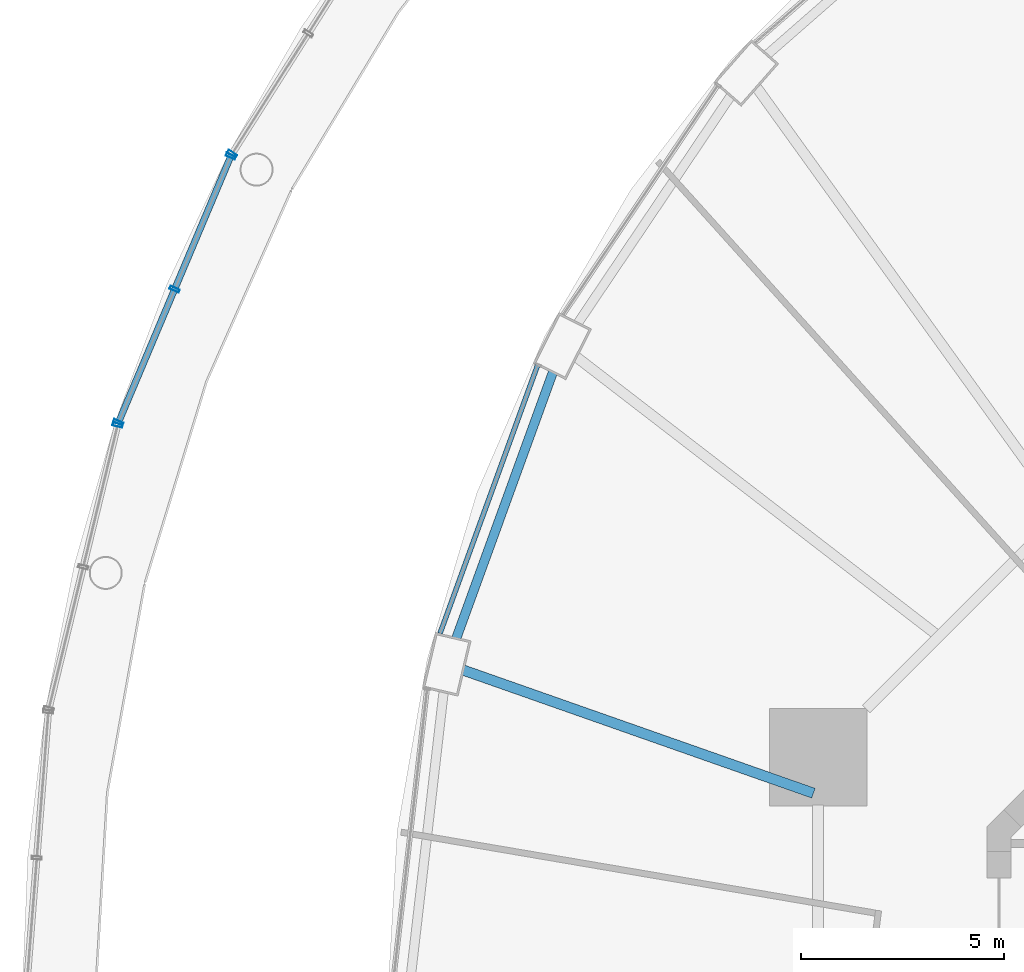
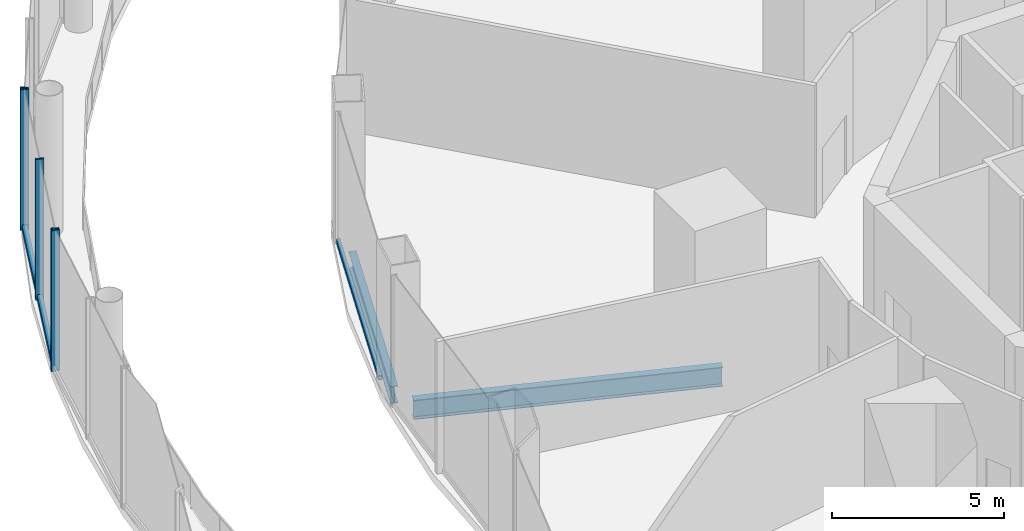
# One storey, part 20 of 47: 7 members, 2 beams, 4 elements without a shape of their own.
"""IFC4 building model written with IfcOpenShell, lengths in metres."""

from ifc_helpers import new_model, si_unit, direction, frame, origin, origin_2d, place, context, subcontext, project, spatial, hollow_rectangle, i_section, extrude, material, layer, layer_set, material_profile, profile_set, type_object, element, aggregate, save


model = new_model("IFC4")

# Units and contexts
model_context = context("Model", 3, precision=1e-05, world=origin(), true_north=direction((0.0, 1.0)))
body_context = subcontext(model_context, "Body", "Model", "MODEL_VIEW")
ifc_project = project(units=[si_unit("LENGTHUNIT", "METRE"), si_unit("AREAUNIT", "SQUARE_METRE"), si_unit("VOLUMEUNIT", "CUBIC_METRE"), si_unit("PLANEANGLEUNIT", "RADIAN"), si_unit("MASSUNIT", "GRAM", prefix="KILO")], contexts=[model_context])

# Site, building, storey
site_placement = place(None, origin())
site = spatial("IfcSite", under=ifc_project, at=site_placement, CompositionType="ELEMENT")
building_placement = place(site_placement, origin())
building = spatial("IfcBuilding", under=site, at=building_placement, Name="Nagisa Residences", CompositionType="ELEMENT")
storey_placement = place(building_placement, frame((0.0, 0.0, 17.0)))
storey = spatial("IfcBuildingStorey", under=building, at=storey_placement, Name="L03", CompositionType="ELEMENT", Elevation=17.0)

# Curtain wall, member
ifc_material_1 = material(Name="Stainless steel curtain wall system", Category="steel")
ifc_layer_1 = layer(ifc_material_1, 0.159912109375)
ifc_layer_set_1 = layer_set([ifc_layer_1], Name="CW3 CURTAIN WALL")
curtain_wall_type_1 = type_object("IfcCurtainWallType", Name="CW3 CURTAIN WALL", PredefinedType="NOTDEFINED", material=ifc_layer_set_1)
curtain_wall_1_placement = place(storey_placement, origin())
curtain_wall_1 = element("IfcCurtainWall", 1, at=curtain_wall_1_placement, inside=storey, type_object=curtain_wall_type_1, Name="cw:CW3:L03:14", PredefinedType="NOTDEFINED")
ifc_material_2 = material(Name="Stainless steel", Category="steel")
ifc_material_profile_1 = material_profile(ifc_material_2, hollow_rectangle(XDim=0.25, YDim=0.080078125, WallThickness=0.008056640625, at=origin_2d()), Name="CW3 MULLION 250x80")
ifc_profile_set_1 = profile_set([ifc_material_profile_1], Name="Stainless steel")
member_type_1 = type_object("IfcMemberType", Name="CW3 MULLION 250x80", PredefinedType="MULLION", material=ifc_profile_set_1)
member_1_placement = place(storey_placement, frame((-29.219970703125, 20.990966796875, 0.0), z_axis=(0.0, 0.0, 1.0), x_axis=(0.844747368001, -0.535165286856, 0.0)))
member_1 = element("IfcMember", 2, at=member_1_placement, type_object=member_type_1, Name="CW3 mullion", PredefinedType="MULLION", context=body_context, shape_type="SweptSolid", body=[
    extrude(hollow_rectangle(XDim=0.25, YDim=0.080078125, WallThickness=0.008056640625, at=origin_2d()), origin(), (0.0, 0.0, 1.0), 5.0),
])
aggregate(curtain_wall_1, [member_1])

# Curtain wall, members
curtain_wall_2_placement = place(storey_placement, origin())
curtain_wall_2 = element("IfcCurtainWall", 3, at=curtain_wall_2_placement, inside=storey, type_object=curtain_wall_type_1, Name="cw:CW3:L03:15", PredefinedType="NOTDEFINED")
member_2_placement = place(storey_placement, frame((-29.250732421875, 20.93212890625, 0.0), z_axis=(0.0, 0.0, 1.0), x_axis=(0.921356767819, -0.388718029417, 0.0)))
member_2 = element("IfcMember", 4, at=member_2_placement, type_object=member_type_1, Name="CW3 mullion", PredefinedType="MULLION", context=body_context, shape_type="SweptSolid", body=[
    extrude(hollow_rectangle(XDim=0.25, YDim=0.080078125, WallThickness=0.008056640625, at=origin_2d()), origin(), (0.0, 0.0, 1.0), 5.0),
])
member_3_placement = place(storey_placement, frame((-30.635009765625, 17.6513671875, 0.0), z_axis=(0.0, 0.0, 1.0), x_axis=(0.921356767819, -0.388718029417, 0.0)))
member_3 = element("IfcMember", 5, at=member_3_placement, type_object=member_type_1, Name="CW3 mullion", PredefinedType="MULLION", context=body_context, shape_type="SweptSolid", body=[
    extrude(hollow_rectangle(XDim=0.25, YDim=0.080078125, WallThickness=0.008056640625, at=origin_2d()), origin(), (0.0, 0.0, 1.0), 5.0),
])
member_4_placement = place(storey_placement, frame((-32.01904296875, 14.37060546875, 0.0), z_axis=(0.0, 0.0, 1.0), x_axis=(0.921356767819, -0.388718029417, 0.0)))
member_4 = element("IfcMember", 6, at=member_4_placement, type_object=member_type_1, Name="CW3 mullion", PredefinedType="MULLION", context=body_context, shape_type="SweptSolid", body=[
    extrude(hollow_rectangle(XDim=0.25, YDim=0.080078125, WallThickness=0.008056640625, at=origin_2d()), origin(), (0.0, 0.0, 1.0), 5.0),
])

# Curtain wall, member
curtain_wall_3_placement = place(storey_placement, origin())
curtain_wall_3 = element("IfcCurtainWall", 7, at=curtain_wall_3_placement, inside=storey, type_object=curtain_wall_type_1, Name="cw:CW3:L03:16", PredefinedType="NOTDEFINED")
member_5_placement = place(storey_placement, frame((-32.0400390625, 14.30712890625, 0.0), z_axis=(0.0, 0.0, 1.0), x_axis=(0.971848775146, -0.235605514043, 0.0)))
member_5 = element("IfcMember", 8, at=member_5_placement, type_object=member_type_1, Name="CW3 mullion", PredefinedType="MULLION", context=body_context, shape_type="SweptSolid", body=[
    extrude(hollow_rectangle(XDim=0.25, YDim=0.080078125, WallThickness=0.008056640625, at=origin_2d()), origin(), (0.0, 0.0, 1.0), 5.0),
])
aggregate(curtain_wall_3, [member_5])

# Member
ifc_material_3 = material(Name="Stainless steel", Category="steel")
ifc_material_profile_2 = material_profile(ifc_material_3, hollow_rectangle(XDim=0.159912109375, YDim=0.199951171875, WallThickness=0.008056640625, at=origin_2d()), Name="CW3 TRANSOM 160x200")
ifc_profile_set_2 = profile_set([ifc_material_profile_2], Name="Stainless steel")
member_type_2 = type_object("IfcMemberType", Name="CW3 TRANSOM 160x200", PredefinedType="USERDEFINED", material=ifc_profile_set_2)
member_6_placement = place(storey_placement, frame((-29.2353515625, 20.968994140625, 0.10009765625), z_axis=(-0.388708599467, -0.921360746234, 0.0), x_axis=(0.921360746234, -0.388708599467, 0.0)))
member_6 = element("IfcMember", 9, at=member_6_placement, type_object=member_type_2, Name="CW3 transom", ObjectType="TRANSOM", PredefinedType="USERDEFINED", context=body_context, shape_type="SweptSolid", body=[
    extrude(hollow_rectangle(XDim=0.159912109375, YDim=0.199951171875, WallThickness=0.008056640625, at=origin_2d()), origin(), (0.0, 0.0, 1.0), 7.20166015625),
])

aggregate(curtain_wall_2, [member_2, member_3, member_4, member_6])

# Curtain wall, member
ifc_material_4 = material(Name="Stainless steel curtain wall system", Category="steel")
ifc_layer_2 = layer(ifc_material_4, 0.159912109375)
ifc_layer_set_2 = layer_set([ifc_layer_2], Name="CW6 CURTAIN WALL")
curtain_wall_type_2 = type_object("IfcCurtainWallType", Name="CW6 CURTAIN WALL", PredefinedType="NOTDEFINED", material=ifc_layer_set_2)
curtain_wall_4_placement = place(storey_placement, origin())
curtain_wall_4 = element("IfcCurtainWall", 10, at=curtain_wall_4_placement, inside=storey, type_object=curtain_wall_type_2, Name="cw:CW6:L03:20", PredefinedType="NOTDEFINED")
ifc_material_5 = material(Name="Stainless steel", Category="steel")
ifc_material_profile_3 = material_profile(ifc_material_5, hollow_rectangle(XDim=0.1201171875, YDim=0.14990234375, WallThickness=0.008056640625, at=origin_2d()), Name="CW6 TRANSOM 120x150")
ifc_profile_set_3 = profile_set([ifc_material_profile_3], Name="Stainless steel")
member_type_3 = type_object("IfcMemberType", Name="CW6 TRANSOM 120x150", PredefinedType="USERDEFINED", material=ifc_profile_set_3)
member_7_placement = place(storey_placement, frame((-21.678955078125, 15.81494140625, 0.074951171875), z_axis=(-0.342039719013, -0.939685495587, 0.0), x_axis=(0.939685495587, -0.342039719013, 0.0)))
member_7 = element("IfcMember", 11, at=member_7_placement, type_object=member_type_3, Name="CW6 transom", ObjectType="TRANSOM", PredefinedType="USERDEFINED", context=body_context, shape_type="SweptSolid", body=[
    extrude(hollow_rectangle(XDim=0.1201171875, YDim=0.14990234375, WallThickness=0.008056640625, at=origin_2d()), origin(), (0.0, 0.0, 1.0), 7.070068359375),
])
aggregate(curtain_wall_4, [member_7])

# Beams
ifc_material_6 = material(Name="Steel ASTM A572 Gr 50", Category="steel")
ifc_material_profile_4 = material_profile(ifc_material_6, i_section(OverallWidth=0.22802734375, OverallDepth=0.60302734375, WebThickness=0.010498046875, FlangeThickness=0.014892578125, at=origin_2d()), Name="W610x101")
ifc_profile_set_4 = profile_set([ifc_material_profile_4], Name="Steel ASTM A572 Gr 50")
beam_type_1 = type_object("IfcBeamType", Name="Perimeter ring beam W610x101", PredefinedType="BEAM", material=ifc_profile_set_4)
beam_1_placement = place(storey_placement, frame((-21.315673828125, 15.60595703125, -0.6015625), z_axis=(-0.341411143183, -0.939914055279, 0.0), x_axis=(0.939914055279, -0.341411143183, 0.0)))
element("IfcBeam", 12, at=beam_1_placement, inside=storey, type_object=beam_type_1, Name="beam:L03:pb11", PredefinedType="BEAM", context=body_context, shape_type="SweptSolid", body=[
    extrude(i_section(OverallWidth=0.22802734375, OverallDepth=0.60302734375, WebThickness=0.010498046875, FlangeThickness=0.014892578125, at=origin_2d()), origin(), (0.0, 0.0, 1.0), 6.96923828125),
])
ifc_material_7 = material(Name="Steel ASTM A572 Gr 50", Category="steel")
ifc_material_profile_5 = material_profile(ifc_material_7, i_section(OverallWidth=0.25390625, OverallDepth=0.68408203125, WebThickness=0.012451171875, FlangeThickness=0.018798828125, at=origin_2d()), Name="W690x140")
ifc_profile_set_5 = profile_set([ifc_material_profile_5], Name="Steel ASTM A572 Gr 50")
beam_type_2 = type_object("IfcBeamType", Name="Radial beam W690x140", PredefinedType="BEAM", material=ifc_profile_set_5)
beam_2_placement = place(storey_placement, frame((-23.520751953125, 8.26806640625, -0.64208984375), z_axis=(0.943414535235, -0.331615763659, 0.0), x_axis=(0.331615763659, 0.943414535235, 0.0)))
element("IfcBeam", 13, at=beam_2_placement, inside=storey, type_object=beam_type_2, Name="beam:L03:rb12", PredefinedType="BEAM", context=body_context, shape_type="SweptSolid", body=[
    extrude(i_section(OverallWidth=0.25390625, OverallDepth=0.68408203125, WebThickness=0.012451171875, FlangeThickness=0.018798828125, at=origin_2d()), origin(), (0.0, 0.0, 1.0), 9.142333984375),
])

save(model, "model.ifc")
